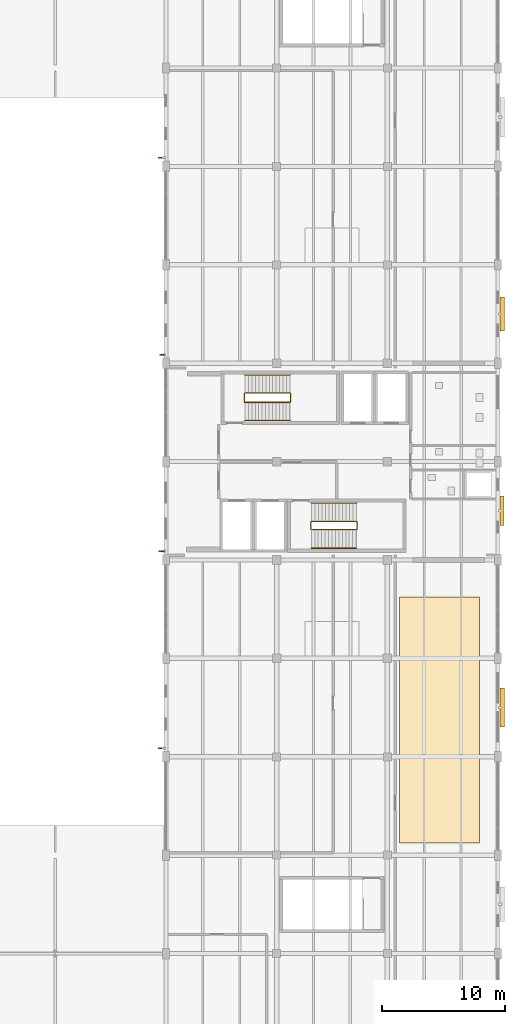
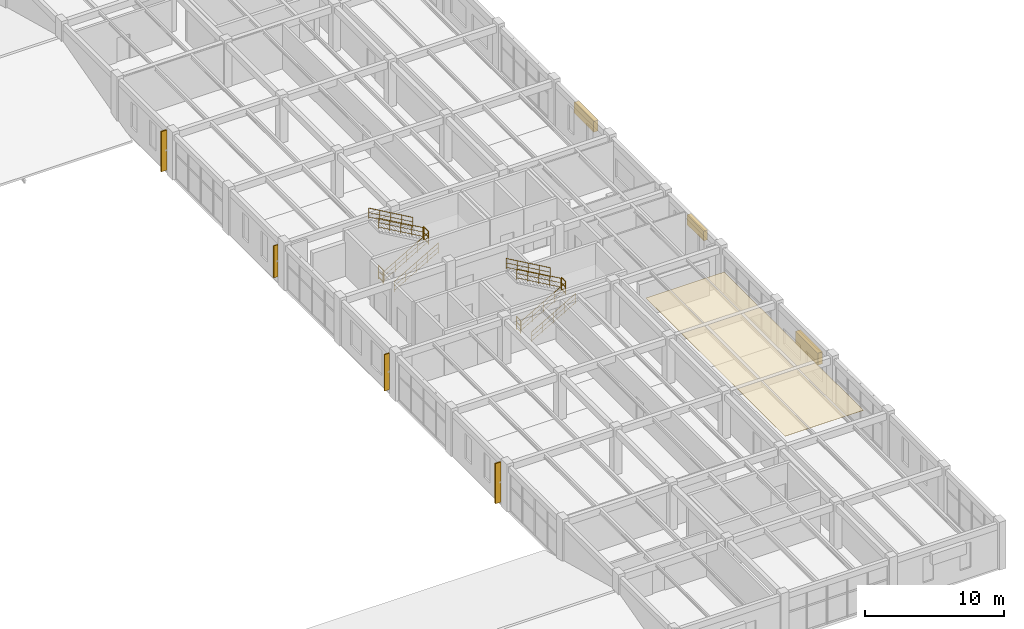
# One storey, part 69 of 71: 12 railings, 7 shading devices, 1 covering.
"""IFC4 building model written with IfcOpenShell, lengths in metres."""

from ifc_helpers import new_model, si_unit, derived_unit, direction, frame, origin, origin_2d, place, context, subcontext, project, spatial, polyline, rectangle, circle, outline, extrude, material, layer, layer_set, type_object, element, save


model = new_model("IFC4")

# Units and contexts
model_context = context("Model", 3, precision=1e-05, world=origin(), true_north=direction((0.0, 1.0)))
body_context = subcontext(model_context, "Body", "Model", "MODEL_VIEW")
ifc_project = project(units=[si_unit("LENGTHUNIT", "METRE"), si_unit("AREAUNIT", "SQUARE_METRE"), si_unit("VOLUMEUNIT", "CUBIC_METRE"), si_unit("PLANEANGLEUNIT", "RADIAN"), si_unit("MASSUNIT", "GRAM", prefix="KILO"), derived_unit("THERMALTRANSMITTANCEUNIT", [(si_unit("MASSUNIT", "GRAM", prefix="KILO"), 1), (si_unit("TIMEUNIT", "SECOND"), -3), (si_unit("THERMODYNAMICTEMPERATUREUNIT", "KELVIN"), -1)])], contexts=[model_context])

# Site, building, storey
site_placement = place(None, origin())
site = spatial("IfcSite", under=ifc_project, at=site_placement, CompositionType="ELEMENT")
building_placement = place(site_placement, origin())
building = spatial("IfcBuilding", under=site, at=building_placement, Name="Zhenchuan Archway Interchange", CompositionType="ELEMENT")
storey_placement = place(building_placement, frame((0.0, 0.0, 18.60009765625)))
storey = spatial("IfcBuildingStorey", under=building, at=storey_placement, Name="L04", CompositionType="ELEMENT", Elevation=18.60009765625)

# Covering
ifc_material_1 = material(Name="Anodised Aluminium", Category="aluminium")
ifc_layer = layer(ifc_material_1, 0.02490234375)
ifc_layer_set = layer_set([ifc_layer], Name="Anodised Aluminium")
covering_type = type_object("IfcCoveringType", Name="COV_CLG_ACOUSTIC", PredefinedType="CEILING", material=ifc_layer_set)
covering_placement = place(storey_placement, frame((0.0, 0.0, 3.885009765625)))
element("IfcCovering", 1, at=covering_placement, inside=storey, type_object=covering_type, Name="Suspended acoustic ceiling grid 06 (L04)", PredefinedType="CEILING", context=body_context, shape_type="SweptSolid", body=[
    extrude(outline(polyline([(163.0, 25.0), (169.5, 25.0), (169.5, 45.0), (163.0, 45.0), (163.0, 25.0)])), origin(), (0.0, 0.0, 1.0), 0.02490234375),
])

# Railings
ifc_material_2 = material(Name="Painted Galvanised Steel", Category="steel")
railing_type_1 = type_object("IfcRailingType", Name="RL_GUARD_1150", PredefinedType="GUARDRAIL", material=ifc_material_2)
for number, where, name in (
    (2, (154.125, 60.864990234375, 2.099853515625), "Stair ST-O1 half-landing slot guard (L04)"),
    (3, (150.385009765625, 60.864990234375, 0.0), "Stair ST-O1 floor well guard (L04)"),
):
    element("IfcRailing", number, at=place(storey_placement, frame(where)), inside=storey, type_object=railing_type_1, Name=name, PredefinedType="GUARDRAIL", context=body_context, shape_type="SweptSolid", body=[
        extrude(circle(Radius=0.02392578125, at=origin_2d()), frame((0.0, 0.0, 1.1259765625), z_axis=(0.0, 1.0, 0.0), x_axis=(-1.0, 0.0, 0.0)), (0.0, 0.0, 1.0), 0.669921875),
        extrude(circle(Radius=0.01611328125, at=origin_2d()), frame((0.0, 0.0, 0.63232421875), z_axis=(0.0, 1.0, 0.0), x_axis=(-1.0, 0.0, 0.0)), (0.0, 0.0, 1.0), 0.669921875),
        extrude(circle(Radius=0.01611328125, at=origin_2d()), frame((0.0, 0.0, 0.1201171875), z_axis=(0.0, 1.0, 0.0), x_axis=(-1.0, 0.0, 0.0)), (0.0, 0.0, 1.0), 0.669921875),
        extrude(circle(Radius=0.02099609375, at=origin_2d()), origin(), (0.0, 0.0, 1.0), 1.1259765625),
        extrude(circle(Radius=0.02099609375, at=origin_2d()), frame((0.0, 0.669921875, 0.0)), (0.0, 0.0, 1.0), 1.1259765625),
    ])
for number, where, name in (
    (4, (159.52490234375, 50.514892578125, 2.099853515625), "Stair ST-O2 half-landing slot guard (L04)"),
    (5, (155.784912109375, 50.514892578125, 0.0), "Stair ST-O2 floor well guard (L04)"),
):
    element("IfcRailing", number, at=place(storey_placement, frame(where)), inside=storey, type_object=railing_type_1, Name=name, PredefinedType="GUARDRAIL", context=body_context, shape_type="SweptSolid", body=[
        extrude(circle(Radius=0.02392578125, at=origin_2d()), frame((0.0, 0.0, 1.1259765625), z_axis=(0.0, 1.0, 0.0), x_axis=(-1.0, 0.0, 0.0)), (0.0, 0.0, 1.0), 0.570068359375),
        extrude(circle(Radius=0.01611328125, at=origin_2d()), frame((0.0, 0.0, 0.63232421875), z_axis=(0.0, 1.0, 0.0), x_axis=(-1.0, 0.0, 0.0)), (0.0, 0.0, 1.0), 0.570068359375),
        extrude(circle(Radius=0.01611328125, at=origin_2d()), frame((0.0, 0.0, 0.1201171875), z_axis=(0.0, 1.0, 0.0), x_axis=(-1.0, 0.0, 0.0)), (0.0, 0.0, 1.0), 0.570068359375),
        extrude(circle(Radius=0.02099609375, at=origin_2d()), origin(), (0.0, 0.0, 1.0), 1.1259765625),
        extrude(circle(Radius=0.02099609375, at=origin_2d()), frame((0.0, 0.570068359375, 0.0)), (0.0, 0.0, 1.0), 1.1259765625),
    ])
ifc_material_3 = material(Name="Stainless Steel 304", Category="steel")
railing_type_2 = type_object("IfcRailingType", Name="RL_HAND_920", PredefinedType="HANDRAIL", material=ifc_material_3)
for number, where, name in (
    (6, (150.425048828125, 59.35498046875, 0.14990234375), "Stair ST-O1 handrail 1 (L04)"),
    (7, (150.425048828125, 60.824951171875, 0.14990234375), "Stair ST-O1 handrail 2 (L04)"),
):
    element("IfcRailing", number, at=place(storey_placement, frame(where)), inside=storey, type_object=railing_type_2, Name=name, PredefinedType="HANDRAIL", context=body_context, shape_type="SweptSolid", body=[
        extrude(circle(Radius=0.02392578125, at=origin_2d()), frame((0.0, 0.0, 0.89599609375), z_axis=(0.867351619287, 0.0, 0.497695859456), x_axis=(0.0, 1.0, 0.0)), (0.0, 0.0, 1.0), 4.2197265625),
        extrude(circle(Radius=0.01611328125, at=origin_2d()), frame((0.0, 0.0, 0.505859375), z_axis=(0.867351619287, 0.0, 0.497695859456), x_axis=(0.0, 1.0, 0.0)), (0.0, 0.0, 1.0), 4.2197265625),
        extrude(circle(Radius=0.01611328125, at=origin_2d()), frame((0.0, 0.0, 0.1201171875), z_axis=(0.867351619287, 0.0, 0.497695859456), x_axis=(0.0, 1.0, 0.0)), (0.0, 0.0, 1.0), 4.2197265625),
        extrude(circle(Radius=0.02099609375, at=origin_2d()), origin(), (0.0, 0.0, 1.0), 0.89599609375),
        extrude(circle(Radius=0.02099609375, at=origin_2d()), frame((0.9150390625, 0.0, 0.52490234375)), (0.0, 0.0, 1.0), 0.89599609375),
        extrude(circle(Radius=0.02099609375, at=origin_2d()), frame((1.830078125, 0.0, 1.050048828125)), (0.0, 0.0, 1.0), 0.89599609375),
        extrude(circle(Radius=0.02099609375, at=origin_2d()), frame((2.744873046875, 0.0, 1.5751953125)), (0.0, 0.0, 1.0), 0.89599609375),
        extrude(circle(Radius=0.02099609375, at=origin_2d()), frame((3.659912109375, 0.0, 2.10009765625)), (0.0, 0.0, 1.0), 0.89599609375),
    ])
for number, where, name in (
    (8, (154.0849609375, 61.574951171875, 2.25), "Stair ST-O1 handrail 3 (L04)"),
    (9, (154.0849609375, 63.044921875, 2.25), "Stair ST-O1 handrail 4 (L04)"),
):
    element("IfcRailing", number, at=place(storey_placement, frame(where)), inside=storey, type_object=railing_type_2, Name=name, PredefinedType="HANDRAIL", context=body_context, shape_type="SweptSolid", body=[
        extrude(circle(Radius=0.02392578125, at=origin_2d()), frame((0.0, 0.0, 0.89599609375), z_axis=(-0.867376594967, 0.0, 0.497652330953), x_axis=(0.0, -1.0, 0.0)), (0.0, 0.0, 1.0), 4.219482421875),
        extrude(circle(Radius=0.01611328125, at=origin_2d()), frame((0.0, 0.0, 0.505859375), z_axis=(-0.867376594967, 0.0, 0.497652330953), x_axis=(0.0, -1.0, 0.0)), (0.0, 0.0, 1.0), 4.219482421875),
        extrude(circle(Radius=0.01611328125, at=origin_2d()), frame((0.0, 0.0, 0.1201171875), z_axis=(-0.867376594967, 0.0, 0.497652330953), x_axis=(0.0, -1.0, 0.0)), (0.0, 0.0, 1.0), 4.219482421875),
        extrude(circle(Radius=0.02099609375, at=origin_2d()), origin(), (0.0, 0.0, 1.0), 0.89599609375),
        extrude(circle(Radius=0.02099609375, at=origin_2d()), frame((-0.9150390625, 0.0, 0.52490234375)), (0.0, 0.0, 1.0), 0.89599609375),
        extrude(circle(Radius=0.02099609375, at=origin_2d()), frame((-1.830078125, 0.0, 1.0498046875)), (0.0, 0.0, 1.0), 0.89599609375),
        extrude(circle(Radius=0.02099609375, at=origin_2d()), frame((-2.744873046875, 0.0, 1.574951171875)), (0.0, 0.0, 1.0), 0.89599609375),
        extrude(circle(Radius=0.02099609375, at=origin_2d()), frame((-3.659912109375, 0.0, 2.099853515625)), (0.0, 0.0, 1.0), 0.89599609375),
    ])
for number, where, name in (
    (10, (155.824951171875, 48.955078125, 0.14990234375), "Stair ST-O2 handrail 1 (L04)"),
    (11, (155.824951171875, 50.47509765625, 0.14990234375), "Stair ST-O2 handrail 2 (L04)"),
):
    element("IfcRailing", number, at=place(storey_placement, frame(where)), inside=storey, type_object=railing_type_2, Name=name, PredefinedType="HANDRAIL", context=body_context, shape_type="SweptSolid", body=[
        extrude(circle(Radius=0.02392578125, at=origin_2d()), frame((0.0, 0.0, 0.89599609375), z_axis=(0.867365949741, 0.0, 0.49767088445), x_axis=(0.0, 1.0, 0.0)), (0.0, 0.0, 1.0), 4.219970703125),
        extrude(circle(Radius=0.01611328125, at=origin_2d()), frame((0.0, 0.0, 0.505859375), z_axis=(0.867365949741, 0.0, 0.49767088445), x_axis=(0.0, 1.0, 0.0)), (0.0, 0.0, 1.0), 4.219970703125),
        extrude(circle(Radius=0.01611328125, at=origin_2d()), frame((0.0, 0.0, 0.1201171875), z_axis=(0.867365949741, 0.0, 0.49767088445), x_axis=(0.0, 1.0, 0.0)), (0.0, 0.0, 1.0), 4.219970703125),
        extrude(circle(Radius=0.02099609375, at=origin_2d()), origin(), (0.0, 0.0, 1.0), 0.89599609375),
        extrude(circle(Radius=0.02099609375, at=origin_2d()), frame((0.9150390625, 0.0, 0.52490234375)), (0.0, 0.0, 1.0), 0.89599609375),
        extrude(circle(Radius=0.02099609375, at=origin_2d()), frame((1.830078125, 0.0, 1.050048828125)), (0.0, 0.0, 1.0), 0.89599609375),
        extrude(circle(Radius=0.02099609375, at=origin_2d()), frame((2.7451171875, 0.0, 1.5751953125)), (0.0, 0.0, 1.0), 0.89599609375),
        extrude(circle(Radius=0.02099609375, at=origin_2d()), frame((3.66015625, 0.0, 2.10009765625)), (0.0, 0.0, 1.0), 0.89599609375),
    ])
for number, where, name in (
    (12, (159.485107421875, 51.125, 2.25), "Stair ST-O2 handrail 3 (L04)"),
    (13, (159.485107421875, 52.64501953125, 2.25), "Stair ST-O2 handrail 4 (L04)"),
):
    element("IfcRailing", number, at=place(storey_placement, frame(where)), inside=storey, type_object=railing_type_2, Name=name, PredefinedType="HANDRAIL", context=body_context, shape_type="SweptSolid", body=[
        extrude(circle(Radius=0.02392578125, at=origin_2d()), frame((0.0, 0.0, 0.89599609375), z_axis=(-0.867390923327, 0.0, 0.497627356693), x_axis=(0.0, -1.0, 0.0)), (0.0, 0.0, 1.0), 4.2197265625),
        extrude(circle(Radius=0.01611328125, at=origin_2d()), frame((0.0, 0.0, 0.505859375), z_axis=(-0.867390923327, 0.0, 0.497627356693), x_axis=(0.0, -1.0, 0.0)), (0.0, 0.0, 1.0), 4.2197265625),
        extrude(circle(Radius=0.01611328125, at=origin_2d()), frame((0.0, 0.0, 0.1201171875), z_axis=(-0.867390923327, 0.0, 0.497627356693), x_axis=(0.0, -1.0, 0.0)), (0.0, 0.0, 1.0), 4.2197265625),
        extrude(circle(Radius=0.02099609375, at=origin_2d()), origin(), (0.0, 0.0, 1.0), 0.89599609375),
        extrude(circle(Radius=0.02099609375, at=origin_2d()), frame((-0.9150390625, 0.0, 0.52490234375)), (0.0, 0.0, 1.0), 0.89599609375),
        extrude(circle(Radius=0.02099609375, at=origin_2d()), frame((-1.830078125, 0.0, 1.0498046875)), (0.0, 0.0, 1.0), 0.89599609375),
        extrude(circle(Radius=0.02099609375, at=origin_2d()), frame((-2.7451171875, 0.0, 1.574951171875)), (0.0, 0.0, 1.0), 0.89599609375),
        extrude(circle(Radius=0.02099609375, at=origin_2d()), frame((-3.66015625, 0.0, 2.099853515625)), (0.0, 0.0, 1.0), 0.89599609375),
    ])

# Shading devices
ifc_material_4 = material(Name="Terracotta Ceramic", Category="masonry")
shading_device_type_1 = type_object("IfcShadingDeviceType", Name="SHD_FIN_1", PredefinedType="USERDEFINED", material=ifc_material_4)
shading_device_1_placement = place(storey_placement, frame((143.64599609375, 48.702880859375, 0.35986328125), z_axis=(0.0, 0.0, 1.0), x_axis=(0.0, 1.0, 0.0)))
element("IfcShadingDevice", 14, at=shading_device_1_placement, inside=storey, type_object=shading_device_type_1, Name="Terracotta vertical solar fin L04-129", ObjectType="FINS", PredefinedType="USERDEFINED", context=body_context, shape_type="SweptSolid", body=[
    extrude(rectangle(XDim=0.090087890625, YDim=0.419921875, at=origin_2d()), origin(), (0.0, 0.0, 1.0), 3.199951171875),
])
shading_device_type_2 = type_object("IfcShadingDeviceType", Name="SHD_FIN_2", PredefinedType="USERDEFINED", material=ifc_material_4)
shading_device_2_placement = place(storey_placement, frame((143.676025390625, 64.702880859375, 0.56005859375), z_axis=(0.0, 0.0, 1.0), x_axis=(0.0, 1.0, 0.0)))
element("IfcShadingDevice", 15, at=shading_device_2_placement, inside=storey, type_object=shading_device_type_2, Name="Terracotta vertical solar fin L04-130", ObjectType="FINS", PredefinedType="USERDEFINED", context=body_context, shape_type="SweptSolid", body=[
    extrude(rectangle(XDim=0.080078125, YDim=0.360107421875, at=origin_2d()), origin(), (0.0, 0.0, 1.0), 2.800048828125),
])
shading_device_type_3 = type_object("IfcShadingDeviceType", Name="SHD_FIN_3", PredefinedType="USERDEFINED", material=ifc_material_4)
for number, where, z_axis, x_axis, name in (
    (16, (143.6259765625, 32.702880859375, 0.199951171875), (0.0, 0.0, 1.0), (0.0, 1.0, 0.0), "Terracotta vertical solar fin L04-128"),
    (17, (143.6259765625, 80.702880859375, 0.199951171875), (0.0, 0.0, 1.0), (0.0, 1.0, 0.0), "Terracotta vertical solar fin L04-131"),
):
    element("IfcShadingDevice", number, at=place(storey_placement, frame(where, z_axis=z_axis, x_axis=x_axis)), inside=storey, type_object=shading_device_type_3, Name=name, ObjectType="FINS", PredefinedType="USERDEFINED", context=body_context, shape_type="SweptSolid", body=[
        extrude(rectangle(XDim=0.10009765625, YDim=0.4599609375, at=origin_2d()), origin(), (0.0, 0.0, 1.0), 3.52001953125),
    ])
shading_device_type_4 = type_object("IfcShadingDeviceType", Name="SHD_LOUVRE_1", PredefinedType="JALOUSIE", material=ifc_material_1)
shading_device_3_placement = place(storey_placement, frame((171.333984375, 68.0, 2.47509765625), z_axis=(0.0, 0.0, 1.0), x_axis=(0.0, -1.0, 0.0)))
element("IfcShadingDevice", 18, at=shading_device_3_placement, inside=storey, type_object=shading_device_type_4, Name="Monsoon storm-louvre jalousie L04-135", PredefinedType="JALOUSIE", context=body_context, shape_type="SweptSolid", body=[
    extrude(rectangle(XDim=2.800048828125, YDim=0.3798828125, at=origin_2d()), origin(), (0.0, 0.0, 1.0), 0.949951171875),
])
shading_device_type_5 = type_object("IfcShadingDeviceType", Name="SHD_LOUVRE_2", PredefinedType="JALOUSIE", material=ifc_material_1)
shading_device_4_placement = place(storey_placement, frame((171.31396484375, 52.0, 2.52490234375), z_axis=(0.0, 0.0, 1.0), x_axis=(0.0, -1.0, 0.0)))
element("IfcShadingDevice", 19, at=shading_device_4_placement, inside=storey, type_object=shading_device_type_5, Name="Monsoon storm-louvre jalousie L04-136", PredefinedType="JALOUSIE", context=body_context, shape_type="SweptSolid", body=[
    extrude(rectangle(XDim=2.39990234375, YDim=0.340087890625, at=origin_2d()), origin(), (0.0, 0.0, 1.0), 0.85009765625),
])
shading_device_type_6 = type_object("IfcShadingDeviceType", Name="SHD_LOUVRE_3", PredefinedType="JALOUSIE", material=ifc_material_1)
shading_device_5_placement = place(storey_placement, frame((171.343994140625, 36.0, 1.57470703125), z_axis=(0.0, 0.0, 1.0), x_axis=(0.0, -1.0, 0.0)))
element("IfcShadingDevice", 20, at=shading_device_5_placement, inside=storey, type_object=shading_device_type_6, Name="Monsoon storm-louvre jalousie L04-137", PredefinedType="JALOUSIE", context=body_context, shape_type="SweptSolid", body=[
    extrude(rectangle(XDim=3.199951171875, YDim=0.39990234375, at=origin_2d()), origin(), (0.0, 0.0, 1.0), 1.050048828125),
])

save(model, "model.ifc")
